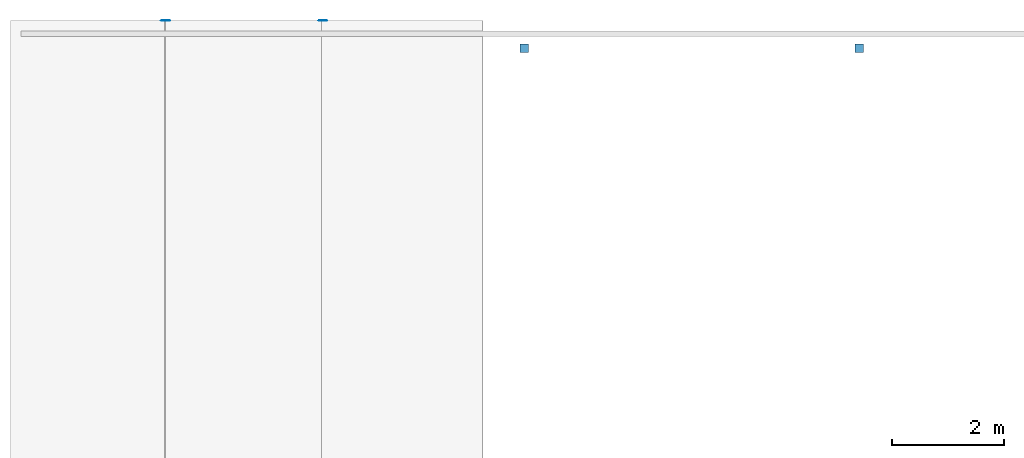
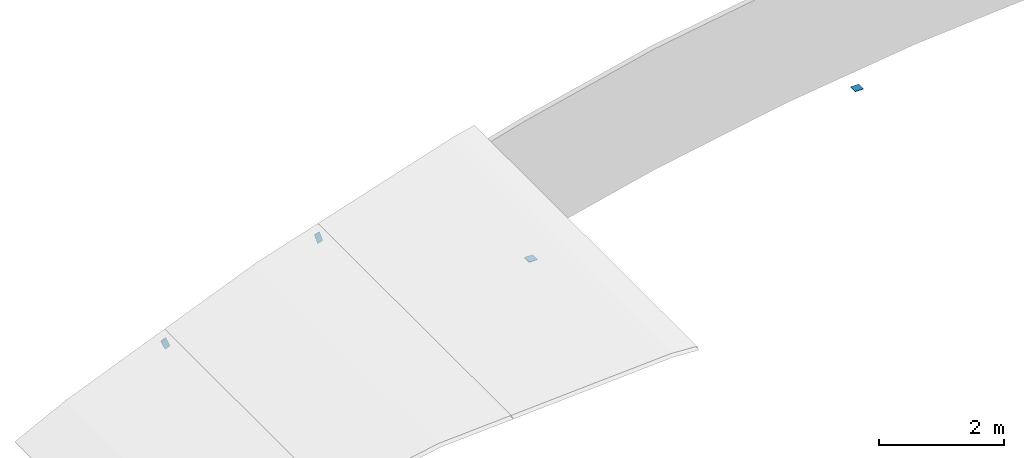
# One storey, part 6 of 17: 4 discrete accessories.
"""IFC4 building model written with IfcOpenShell, lengths in metres."""

from ifc_helpers import new_model, si_unit, direction, frame, origin, origin_2d, place, context, subcontext, project, spatial, rectangle, extrude, material, material_profile, profile_set, type_object, element, save


model = new_model("IFC4")

# Units and contexts
model_context = context("Model", 3, precision=1e-05, world=origin(), true_north=direction((0.0, 1.0)))
body_context = subcontext(model_context, "Body", "Model", "MODEL_VIEW")
ifc_project = project(units=[si_unit("LENGTHUNIT", "METRE"), si_unit("AREAUNIT", "SQUARE_METRE"), si_unit("VOLUMEUNIT", "CUBIC_METRE"), si_unit("PLANEANGLEUNIT", "RADIAN"), si_unit("MASSUNIT", "GRAM", prefix="KILO")], contexts=[model_context])

# Site, building, storey
site_placement = place(None, origin())
site = spatial("IfcSite", under=ifc_project, at=site_placement, CompositionType="ELEMENT")
building_placement = place(site_placement, origin())
building = spatial("IfcBuilding", under=site, at=building_placement, Name="Verrick Yard Athletic Hall", CompositionType="ELEMENT")
storey_placement = place(building_placement, frame((0.0, 0.0, 18.199951171875)))
storey = spatial("IfcBuildingStorey", under=building, at=storey_placement, Name="Roof", CompositionType="ELEMENT", Elevation=18.199951171875)

# Discrete accessories
ifc_material = material(Name="Structural steel 350W (CSA G40.21)", Category="steel")
ifc_material_profile_1 = material_profile(ifc_material, rectangle(XDim=0.1015625, YDim=0.203125, at=origin_2d()), Name="STR End cap plate 203x102x9.5")
ifc_profile_set_1 = profile_set([ifc_material_profile_1], Name="Structural steel 350W (CSA G40.21)")
discrete_accessory_type_1 = type_object("IfcDiscreteAccessoryType", Name="STR End cap plate 203x102x9.5", PredefinedType="BRACKET", material=ifc_profile_set_1)
for number, where, z_axis, x_axis, name in (
    (1, (33.56201171875, 108.0, 1.082275390625), (0.0, 1.0, 0.0), (-0.924122791552, 0.0, -0.382095624331), "End cap HB-PU-B-5-3 B"),
    (2, (36.380859375, 108.0, 2.154541015625), (0.0, 1.0, 0.0), (-0.951213620533, 0.0, -0.308533058379), "End cap HB-PU-B-5-4 B"),
):
    element("IfcDiscreteAccessory", number, at=place(storey_placement, frame(where, z_axis=z_axis, x_axis=x_axis)), inside=storey, type_object=discrete_accessory_type_1, Name=name, PredefinedType="BRACKET", context=body_context, shape_type="SweptSolid", body=[
        extrude(rectangle(XDim=0.1015625, YDim=0.203125, at=origin_2d()), origin(), (0.0, 0.0, 1.0), 0.010009765625),
    ])
ifc_material_profile_2 = material_profile(ifc_material, rectangle(XDim=0.15234375, YDim=0.15234375, at=origin_2d()), Name="STR End cap plate 152x152x9.5")
ifc_profile_set_2 = profile_set([ifc_material_profile_2], Name="Structural steel 350W (CSA G40.21)")
discrete_accessory_type_2 = type_object("IfcDiscreteAccessoryType", Name="STR End cap plate 152x152x9.5", PredefinedType="BRACKET", material=ifc_profile_set_2)
for number, where, z_axis, x_axis, name in (
    (3, (40.0, 107.50537109375, 0.77685546875), (0.0, 0.0, 1.0), (1.0, 0.0, 0.0), "End cap HB-GP-BN-2 B"),
    (4, (46.0, 107.50537109375, 1.995849609375), (0.0, 0.0, 1.0), (1.0, 0.0, 0.0), "End cap HB-GP-BN-3 B"),
):
    element("IfcDiscreteAccessory", number, at=place(storey_placement, frame(where, z_axis=z_axis, x_axis=x_axis)), inside=storey, type_object=discrete_accessory_type_2, Name=name, PredefinedType="BRACKET", context=body_context, shape_type="SweptSolid", body=[
        extrude(rectangle(XDim=0.15234375, YDim=0.15234375, at=origin_2d()), origin(), (0.0, 0.0, 1.0), 0.010009765625),
    ])

save(model, "model.ifc")
